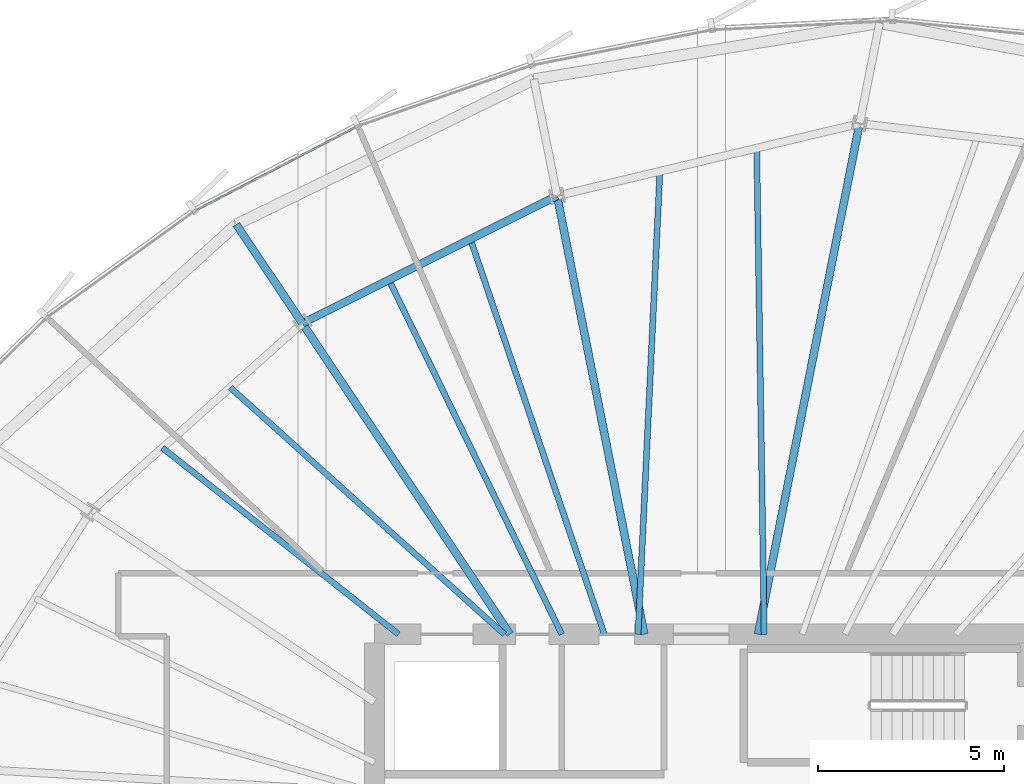
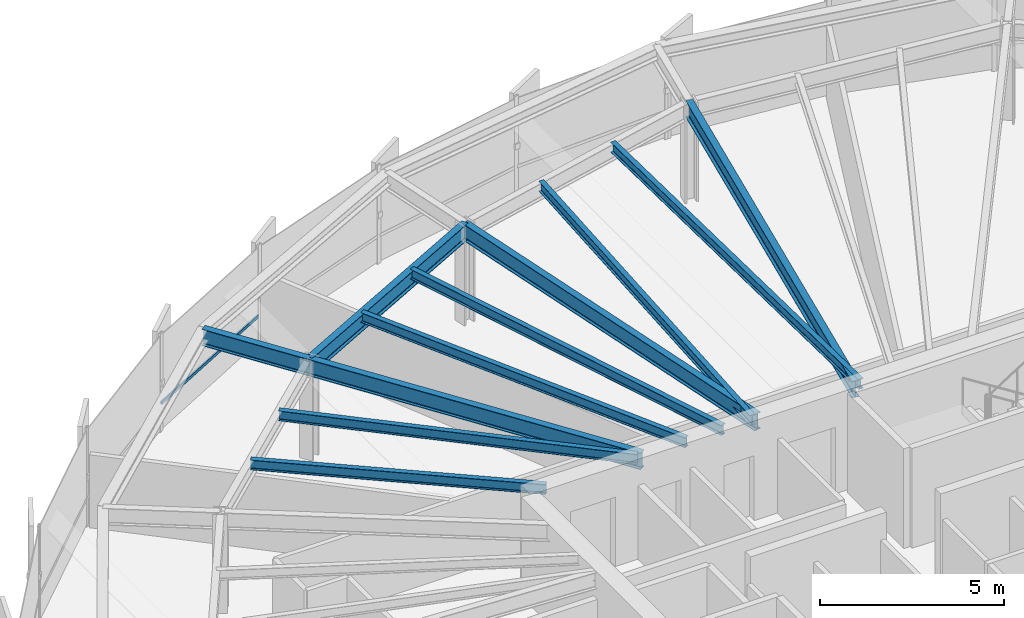
# One storey, part 19 of 34: 11 beams, 1 member, 1 element without a shape of its own.
"""IFC4 building model written with IfcOpenShell, lengths in metres."""

from ifc_helpers import new_model, si_unit, direction, frame, origin, origin_2d, place, context, subcontext, project, spatial, hollow_rectangle, i_section, extrude, source, transform, mapped, material, layer, layer_set, material_profile, profile_set, type_object, element, aggregate, save


model = new_model("IFC4")

# Units and contexts
model_context = context("Model", 3, precision=1e-05, world=origin(), true_north=direction((0.0, 1.0)))
body_context = subcontext(model_context, "Body", "Model", "MODEL_VIEW")
ifc_project = project(units=[si_unit("LENGTHUNIT", "METRE"), si_unit("AREAUNIT", "SQUARE_METRE"), si_unit("VOLUMEUNIT", "CUBIC_METRE"), si_unit("PLANEANGLEUNIT", "RADIAN"), si_unit("MASSUNIT", "GRAM", prefix="KILO"), si_unit("THERMODYNAMICTEMPERATUREUNIT", "KELVIN")], contexts=[model_context])

# Site, building, storey
site_placement = place(None, origin())
site = spatial("IfcSite", under=ifc_project, at=site_placement, CompositionType="ELEMENT")
building_placement = place(site_placement, origin())
building = spatial("IfcBuilding", under=site, at=building_placement, Name="Kethvar Cultural Tower", CompositionType="ELEMENT")
storey_placement = place(building_placement, frame((0.0, 0.0, 128.800048828125)))
storey = spatial("IfcBuildingStorey", under=building, at=storey_placement, Name="L32", CompositionType="ELEMENT", Elevation=128.800048828125)

# Beams
ifc_material_1 = material(Name="Steel S355J2", Category="steel")
ifc_material_profile_1 = material_profile(ifc_material_1, i_section(OverallWidth=0.2099609375, OverallDepth=0.550048828125, WebThickness=0.010986328125, FlangeThickness=0.01708984375, FilletRadius=0.02392578125, at=origin_2d()), Name="Steel S355J2 — IPE550")
ifc_profile_set_1 = profile_set([ifc_material_profile_1], Name="Steel S355J2 — IPE550")
beam_type_1 = type_object("IfcBeamType", Name="BM-IPE550", PredefinedType="BEAM", material=ifc_profile_set_1)
shared_shape_1 = source(origin(), body_context, "Body", "SweptSolid", [
    extrude(i_section(OverallWidth=0.2099609375, OverallDepth=0.550048828125, WebThickness=0.010986328125, FlangeThickness=0.01708984375, FilletRadius=0.02392578125, at=origin_2d()), origin(), (0.0, 0.0, 1.0), 3.2001953125),
])
beam_1_placement = place(storey_placement, frame((36.0576171875, 43.877197265625, 3.02294921875), z_axis=(-0.555544970406, 0.831486491686, 0.0), x_axis=(-0.831486491686, -0.555544970406, 0.0)))
element("IfcBeam", 1, at=beam_1_placement, inside=storey, type_object=beam_type_1, Name="L32 Perimeter Cantilever Beam RC-06", PredefinedType="BEAM", context=body_context, shape_type="MappedRepresentation", body=[
    mapped(shared_shape_1, transform((0.0, 0.0, 0.0), scale=1.0)),
])
shared_shape_2 = source(origin(), body_context, "Body", "SweptSolid", [
    extrude(i_section(OverallWidth=0.2099609375, OverallDepth=0.550048828125, WebThickness=0.010986328125, FlangeThickness=0.01708984375, FilletRadius=0.02392578125, at=origin_2d()), origin(), (0.0, 0.0, 1.0), 14.02880859375),
])
beam_2_placement = place(storey_placement, frame((48.33154296875, 35.5, 3.02294921875), z_axis=(0.195101986683, 0.980782960085, 0.0), x_axis=(-0.980782960085, 0.195101986683, 0.0)))
element("IfcBeam", 2, at=beam_2_placement, inside=storey, type_object=beam_type_1, Name="L32 Primary Radial Beam RB-04", PredefinedType="BEAM", context=body_context, shape_type="MappedRepresentation", body=[
    mapped(shared_shape_2, transform((0.0, 0.0, 0.0), scale=1.0)),
])
shared_shape_3 = source(origin(), body_context, "Body", "SweptSolid", [
    extrude(i_section(OverallWidth=0.2099609375, OverallDepth=0.550048828125, WebThickness=0.010986328125, FlangeThickness=0.01708984375, FilletRadius=0.02392578125, at=origin_2d()), origin(), (0.0, 0.0, 1.0), 12.042724609375),
])
beam_3_placement = place(storey_placement, frame((45.268310546875, 35.5, 3.02294921875), z_axis=(-0.195086784047, 0.980785984142, 0.0), x_axis=(-0.980785984142, -0.195086784047, 0.0)))
element("IfcBeam", 3, at=beam_3_placement, inside=storey, type_object=beam_type_1, Name="L32 Primary Radial Beam RB-05", PredefinedType="BEAM", context=body_context, shape_type="MappedRepresentation", body=[
    mapped(shared_shape_3, transform((0.0, 0.0, 0.0), scale=1.0)),
])
shared_shape_4 = source(origin(), body_context, "Body", "SweptSolid", [
    extrude(i_section(OverallWidth=0.2099609375, OverallDepth=0.550048828125, WebThickness=0.010986328125, FlangeThickness=0.01708984375, FilletRadius=0.02392578125, at=origin_2d()), origin(), (0.0, 0.0, 1.0), 10.0751953125),
])
beam_4_placement = place(storey_placement, frame((41.655029296875, 35.5, 3.02294921875), z_axis=(-0.555566654614, 0.831472003305, 0.0), x_axis=(-0.831472003305, -0.555566654614, 0.0)))
element("IfcBeam", 4, at=beam_4_placement, inside=storey, type_object=beam_type_1, Name="L32 Primary Radial Beam RB-06", PredefinedType="BEAM", context=body_context, shape_type="MappedRepresentation", body=[
    mapped(shared_shape_4, transform((0.0, 0.0, 0.0), scale=1.0)),
])
ifc_material_profile_2 = material_profile(ifc_material_1, i_section(OverallWidth=0.159912109375, OverallDepth=0.330078125, WebThickness=0.007568359375, FlangeThickness=0.011474609375, FilletRadius=0.01806640625, at=origin_2d()), Name="Steel S355J2 — IPE330")
ifc_profile_set_2 = profile_set([ifc_material_profile_2], Name="Steel S355J2 — IPE330")
beam_type_2 = type_object("IfcBeamType", Name="BM-J330", PredefinedType="JOIST", material=ifc_profile_set_2)
shared_shape_5 = source(origin(), body_context, "Body", "SweptSolid", [
    extrude(i_section(OverallWidth=0.159912109375, OverallDepth=0.330078125, WebThickness=0.007568359375, FlangeThickness=0.011474609375, FilletRadius=0.01806640625, at=origin_2d()), origin(), (0.0, 0.0, 1.0), 13.098388671875),
])
beam_5_placement = place(storey_placement, frame((48.5, 35.5, 3.133056640625), z_axis=(-0.015451599057, 0.999880616917, 0.0), x_axis=(-0.999880616917, -0.015451599057, 0.0)))
element("IfcBeam", 5, at=beam_5_placement, inside=storey, type_object=beam_type_2, Name="L32 Composite Floor Joist J-04A", PredefinedType="JOIST", context=body_context, shape_type="MappedRepresentation", body=[
    mapped(shared_shape_5, transform((0.0, 0.0, 0.0), scale=1.0)),
])
shared_shape_6 = source(origin(), body_context, "Body", "SweptSolid", [
    extrude(i_section(OverallWidth=0.159912109375, OverallDepth=0.330078125, WebThickness=0.007568359375, FlangeThickness=0.011474609375, FilletRadius=0.01806640625, at=origin_2d()), origin(), (0.0, 0.0, 1.0), 12.487548828125),
])
beam_6_placement = place(storey_placement, frame((45.10009765625, 35.5, 3.133056640625), z_axis=(0.047214958818, 0.998884751943, 0.0), x_axis=(-0.998884751943, 0.047214958818, 0.0)))
element("IfcBeam", 6, at=beam_6_placement, inside=storey, type_object=beam_type_2, Name="L32 Composite Floor Joist J-04B", PredefinedType="JOIST", context=body_context, shape_type="MappedRepresentation", body=[
    mapped(shared_shape_6, transform((0.0, 0.0, 0.0), scale=1.0)),
])
shared_shape_7 = source(origin(), body_context, "Body", "SweptSolid", [
    extrude(i_section(OverallWidth=0.2099609375, OverallDepth=0.550048828125, WebThickness=0.010986328125, FlangeThickness=0.01708984375, FilletRadius=0.02392578125, at=origin_2d()), origin(), (0.0, 0.0, 1.0), 7.672607421875),
])
beam_7_placement = place(storey_placement, frame((42.9189453125, 47.311279296875, 3.02294921875), z_axis=(-0.894248932057, -0.447569935892, 0.0), x_axis=(0.447569935892, -0.894248932057, 0.0)))
element("IfcBeam", 7, at=beam_7_placement, inside=storey, type_object=beam_type_1, Name="L32 Column Ring Tie Beam CR-05", PredefinedType="BEAM", context=body_context, shape_type="MappedRepresentation", body=[
    mapped(shared_shape_7, transform((0.0, 0.0, 0.0), scale=1.0)),
])
shared_shape_8 = source(origin(), body_context, "Body", "SweptSolid", [
    extrude(i_section(OverallWidth=0.159912109375, OverallDepth=0.330078125, WebThickness=0.007568359375, FlangeThickness=0.011474609375, FilletRadius=0.01806640625, at=origin_2d()), origin(), (0.0, 0.0, 1.0), 11.23779296875),
])
beam_8_placement = place(storey_placement, frame((44.191650390625, 35.5, 3.133056640625), z_axis=(-0.32083186626, 0.94713616423, 0.0), x_axis=(-0.94713616423, -0.32083186626, 0.0)))
element("IfcBeam", 8, at=beam_8_placement, inside=storey, type_object=beam_type_2, Name="L32 Composite Floor Joist J-05A", PredefinedType="JOIST", context=body_context, shape_type="MappedRepresentation", body=[
    mapped(shared_shape_8, transform((0.0, 0.0, 0.0), scale=1.0)),
])
shared_shape_9 = source(origin(), body_context, "Body", "SweptSolid", [
    extrude(i_section(OverallWidth=0.159912109375, OverallDepth=0.330078125, WebThickness=0.007568359375, FlangeThickness=0.011474609375, FilletRadius=0.01806640625, at=origin_2d()), origin(), (0.0, 0.0, 1.0), 10.619384765625),
])
beam_9_placement = place(storey_placement, frame((43.044921875, 35.5, 3.133056640625), z_axis=(-0.438308125028, 0.898824781331, 0.0), x_axis=(-0.898824781331, -0.438308125028, 0.0)))
element("IfcBeam", 9, at=beam_9_placement, inside=storey, type_object=beam_type_2, Name="L32 Composite Floor Joist J-05B", PredefinedType="JOIST", context=body_context, shape_type="MappedRepresentation", body=[
    mapped(shared_shape_9, transform((0.0, 0.0, 0.0), scale=1.0)),
])
shared_shape_10 = source(origin(), body_context, "Body", "SweptSolid", [
    extrude(i_section(OverallWidth=0.159912109375, OverallDepth=0.330078125, WebThickness=0.007568359375, FlangeThickness=0.011474609375, FilletRadius=0.01806640625, at=origin_2d()), origin(), (0.0, 0.0, 1.0), 9.93701171875),
])
beam_10_placement = place(storey_placement, frame((41.5, 35.5, 3.133056640625), z_axis=(-0.743138974967, 0.669137103952, 0.0), x_axis=(-0.669137103952, -0.743138974967, 0.0)))
element("IfcBeam", 10, at=beam_10_placement, inside=storey, type_object=beam_type_2, Name="L32 Composite Floor Joist J-06A", PredefinedType="JOIST", context=body_context, shape_type="MappedRepresentation", body=[
    mapped(shared_shape_10, transform((0.0, 0.0, 0.0), scale=1.0)),
])
shared_shape_11 = source(origin(), body_context, "Body", "SweptSolid", [
    extrude(i_section(OverallWidth=0.159912109375, OverallDepth=0.330078125, WebThickness=0.007568359375, FlangeThickness=0.011474609375, FilletRadius=0.01806640625, at=origin_2d()), origin(), (0.0, 0.0, 1.0), 8.105712890625),
])
beam_11_placement = place(storey_placement, frame((38.64990234375, 35.5, 3.133056640625), z_axis=(-0.784895872164, 0.619627686486, 0.0), x_axis=(-0.619627686486, -0.784895872164, 0.0)))
element("IfcBeam", 11, at=beam_11_placement, inside=storey, type_object=beam_type_2, Name="L32 Composite Floor Joist J-06B", PredefinedType="JOIST", context=body_context, shape_type="MappedRepresentation", body=[
    mapped(shared_shape_11, transform((0.0, 0.0, 0.0), scale=1.0)),
])

# Curtain wall, member
ifc_material_2 = material(Name="Aluminium 6063-T6", Category="aluminium")
ifc_layer = layer(ifc_material_2, 0.179931640625, Name="Aluminium 6063-T6", Category="aluminium")
ifc_layer_set = layer_set([ifc_layer], Name="Aluminium 6063-T6 (180 mm)")
curtain_wall_type = type_object("IfcCurtainWallType", Name="CW-SYS-04-Z34", PredefinedType="NOTDEFINED", material=ifc_layer_set)
curtain_wall_placement = place(storey_placement, origin())
curtain_wall = element("IfcCurtainWall", 12, at=curtain_wall_placement, inside=storey, type_object=curtain_wall_type, Name="L32 Curtain Wall Run 02", PredefinedType="NOTDEFINED")
ifc_material_profile_3 = material_profile(ifc_material_2, hollow_rectangle(XDim=0.050048828125, YDim=0.10009765625, WallThickness=0.00390625, at=origin_2d()), Name="Aluminium 6063-T6 — RHS100x50x4")
ifc_profile_set_3 = profile_set([ifc_material_profile_3], Name="Aluminium 6063-T6 — RHS100x50x4")
member_type = type_object("IfcMemberType", Name="CW-SYS-04-Z34-TRN", PredefinedType="USERDEFINED", material=ifc_profile_set_3)
shared_shape_12 = source(origin(), body_context, "Body", "SweptSolid", [
    extrude(hollow_rectangle(XDim=0.050048828125, YDim=0.10009765625, WallThickness=0.00390625, at=origin_2d()), origin(), (0.0, 0.0, 1.0), 4.88623046875),
])
member_placement = place(storey_placement, frame((37.513671875, 49.171142578125, 0.949951171875), z_axis=(-0.886992542723, -0.461783747175, 0.0), x_axis=(0.461783747175, -0.886992542723, 0.0)))
member = element("IfcMember", 13, at=member_placement, type_object=member_type, Name="CW-L32-R02 Transom 4", ObjectType="TRANSOM", PredefinedType="USERDEFINED", context=body_context, shape_type="MappedRepresentation", body=[
    mapped(shared_shape_12, transform((0.0, 0.0, 0.0), scale=1.0)),
])
aggregate(curtain_wall, [member])

save(model, "model.ifc")
